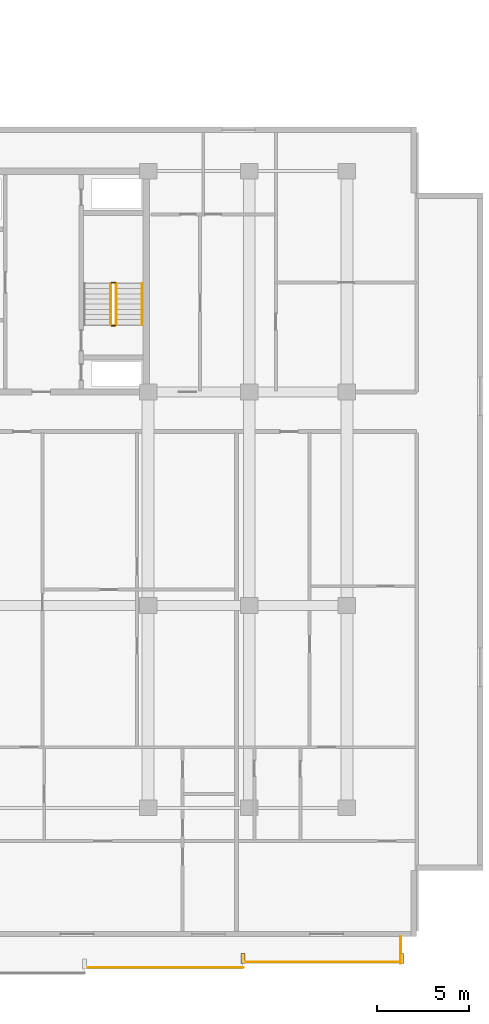
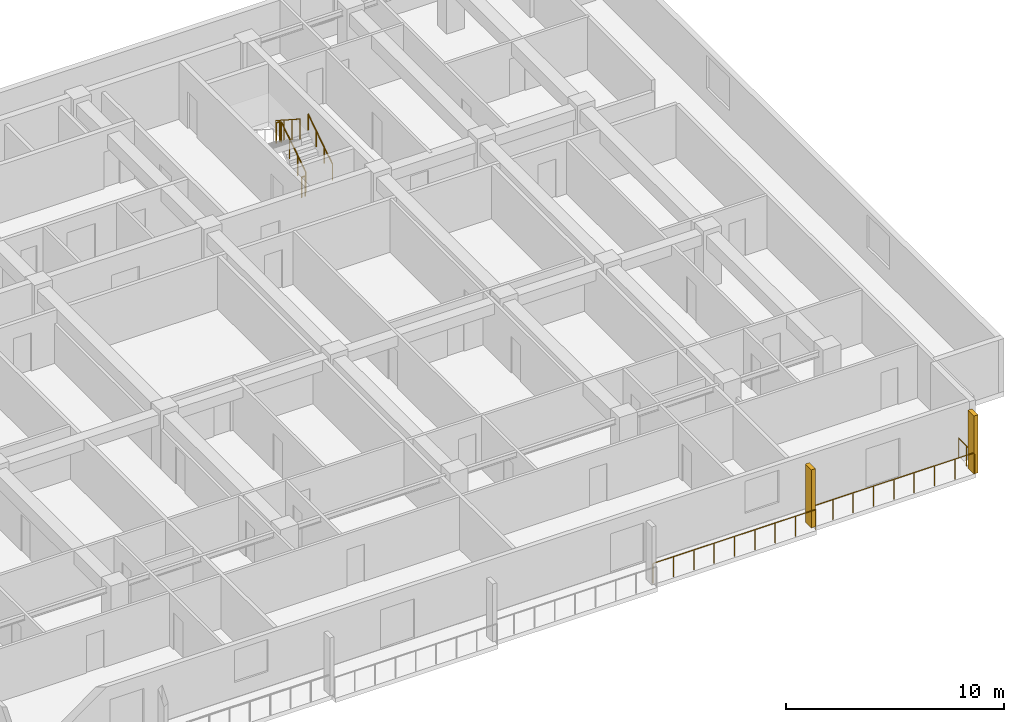
# One storey, part 22 of 24: 8 railings, 2 shading devices.
"""IFC4 building model written with IfcOpenShell, lengths in metres."""

from ifc_helpers import new_model, si_unit, direction, frame, origin, origin_2d, place, context, subcontext, project, spatial, rectangle, circle, extrude, material, type_object, element, save


model = new_model("IFC4")

# Units and contexts
model_context = context("Model", 3, precision=1e-05, world=origin(), true_north=direction((0.0, 1.0)))
body_context = subcontext(model_context, "Body", "Model", "MODEL_VIEW")
ifc_project = project(units=[si_unit("LENGTHUNIT", "METRE"), si_unit("AREAUNIT", "SQUARE_METRE"), si_unit("VOLUMEUNIT", "CUBIC_METRE"), si_unit("PLANEANGLEUNIT", "RADIAN"), si_unit("MASSUNIT", "GRAM", prefix="KILO")], contexts=[model_context])

# Site, building, storey
site_placement = place(None, origin())
site = spatial("IfcSite", under=ifc_project, at=site_placement, CompositionType="ELEMENT")
building_placement = place(site_placement, origin())
building = spatial("IfcBuilding", under=site, at=building_placement, Name="Korimba Cascade Residences", CompositionType="ELEMENT")
storey_placement = place(building_placement, frame((0.0, 0.0, 66.25)))
storey = spatial("IfcBuildingStorey", under=building, at=storey_placement, Name="L18", CompositionType="ELEMENT", Elevation=66.25)

# Railings
ifc_material_1 = material(Name="Laminated Glass and Bronze Balustrade", Category="glass")
railing_type_1 = type_object("IfcRailingType", Name="RLG-LOG-1150", PredefinedType="BALUSTRADE", material=ifc_material_1)
railing_1_placement = place(storey_placement, frame((114.642822265625, -12.8701171875, 0.0)))
element("IfcRailing", 1, at=railing_1_placement, inside=storey, type_object=railing_type_1, Name="L18 Perimeter Guardrail RLG-L18-T2-LOG-06", PredefinedType="BALUSTRADE", context=body_context, shape_type="SweptSolid", body=[
    extrude(circle(Radius=0.02392578125, at=origin_2d()), frame((0.0, 0.0, 1.1259765625), z_axis=(1.0, 0.0, 0.0), x_axis=(0.0, 1.0, 0.0)), (0.0, 0.0, 1.0), 8.628662109375),
    extrude(circle(Radius=0.02099609375, at=origin_2d()), origin(), (0.0, 0.0, 1.0), 1.101806640625),
    extrude(circle(Radius=0.02099609375, at=origin_2d()), frame((1.07861328125, 0.0, 0.0)), (0.0, 0.0, 1.0), 1.101806640625),
    extrude(circle(Radius=0.02099609375, at=origin_2d()), frame((2.1572265625, 0.0, 0.0)), (0.0, 0.0, 1.0), 1.101806640625),
    extrude(circle(Radius=0.02099609375, at=origin_2d()), frame((3.23583984375, 0.0, 0.0)), (0.0, 0.0, 1.0), 1.101806640625),
    extrude(circle(Radius=0.02099609375, at=origin_2d()), frame((4.314453125, 0.0, 0.0)), (0.0, 0.0, 1.0), 1.101806640625),
    extrude(circle(Radius=0.02099609375, at=origin_2d()), frame((5.392822265625, 0.0, 0.0)), (0.0, 0.0, 1.0), 1.101806640625),
    extrude(circle(Radius=0.02099609375, at=origin_2d()), frame((6.471435546875, 0.0, 0.0)), (0.0, 0.0, 1.0), 1.101806640625),
    extrude(circle(Radius=0.02099609375, at=origin_2d()), frame((7.550048828125, 0.0, 0.0)), (0.0, 0.0, 1.0), 1.101806640625),
    extrude(circle(Radius=0.02099609375, at=origin_2d()), frame((8.628662109375, 0.0, 0.0)), (0.0, 0.0, 1.0), 1.101806640625),
])
railing_2_placement = place(storey_placement, frame((123.271484375, -12.570068359375, 0.0)))
element("IfcRailing", 2, at=railing_2_placement, inside=storey, type_object=railing_type_1, Name="L18 Perimeter Guardrail RLG-L18-T2-LOG-07", PredefinedType="BALUSTRADE", context=body_context, shape_type="SweptSolid", body=[
    extrude(circle(Radius=0.02392578125, at=origin_2d()), frame((0.0, 0.0, 1.1259765625), z_axis=(1.0, 0.0, 0.0), x_axis=(0.0, 1.0, 0.0)), (0.0, 0.0, 1.0), 8.62841796875),
    extrude(circle(Radius=0.02099609375, at=origin_2d()), origin(), (0.0, 0.0, 1.0), 1.101806640625),
    extrude(circle(Radius=0.02099609375, at=origin_2d()), frame((1.07861328125, 0.0, 0.0)), (0.0, 0.0, 1.0), 1.101806640625),
    extrude(circle(Radius=0.02099609375, at=origin_2d()), frame((2.1572265625, 0.0, 0.0)), (0.0, 0.0, 1.0), 1.101806640625),
    extrude(circle(Radius=0.02099609375, at=origin_2d()), frame((3.235595703125, 0.0, 0.0)), (0.0, 0.0, 1.0), 1.101806640625),
    extrude(circle(Radius=0.02099609375, at=origin_2d()), frame((4.314208984375, 0.0, 0.0)), (0.0, 0.0, 1.0), 1.101806640625),
    extrude(circle(Radius=0.02099609375, at=origin_2d()), frame((5.392822265625, 0.0, 0.0)), (0.0, 0.0, 1.0), 1.101806640625),
    extrude(circle(Radius=0.02099609375, at=origin_2d()), frame((6.47119140625, 0.0, 0.0)), (0.0, 0.0, 1.0), 1.101806640625),
    extrude(circle(Radius=0.02099609375, at=origin_2d()), frame((7.5498046875, 0.0, 0.0)), (0.0, 0.0, 1.0), 1.101806640625),
    extrude(circle(Radius=0.02099609375, at=origin_2d()), frame((8.62841796875, 0.0, 0.0)), (0.0, 0.0, 1.0), 1.101806640625),
])
railing_3_placement = place(storey_placement, frame((131.820068359375, -12.64990234375, 0.0)))
element("IfcRailing", 3, at=railing_3_placement, inside=storey, type_object=railing_type_1, Name="L18 Perimeter Guardrail RLG-L18-T2-LOG-08", PredefinedType="BALUSTRADE", context=body_context, shape_type="SweptSolid", body=[
    extrude(circle(Radius=0.02392578125, at=origin_2d()), frame((0.0, 0.0, 1.1259765625), z_axis=(0.0, 1.0, 0.0), x_axis=(-1.0, 0.0, 0.0)), (0.0, 0.0, 1.0), 1.449951171875),
    extrude(circle(Radius=0.02099609375, at=origin_2d()), origin(), (0.0, 0.0, 1.0), 1.101806640625),
    extrude(circle(Radius=0.02099609375, at=origin_2d()), frame((0.0, 0.72509765625, 0.0)), (0.0, 0.0, 1.0), 1.101806640625),
    extrude(circle(Radius=0.02099609375, at=origin_2d()), frame((0.0, 1.449951171875, 0.0)), (0.0, 0.0, 1.0), 1.101806640625),
])
ifc_material_2 = material(Name="Painted Steel Stairwell Guardrail", Category="steel")
railing_type_2 = type_object("IfcRailingType", Name="RLG-ST-GD1150", PredefinedType="GUARDRAIL", material=ifc_material_2)
railing_4_placement = place(storey_placement, frame((116.3701171875, 22.050048828125, 0.1806640625)))
element("IfcRailing", 4, at=railing_4_placement, inside=storey, type_object=railing_type_2, Name="L18 ST-E2 stair guard 1", PredefinedType="GUARDRAIL", context=body_context, shape_type="SweptSolid", body=[
    extrude(circle(Radius=0.02392578125, at=origin_2d()), frame((0.0, 0.0, 1.1259765625), z_axis=(0.0, 0.840436612492, 0.541909863706), x_axis=(-1.0, 0.0, 0.0)), (0.0, 0.0, 1.0), 2.665283203125),
    extrude(circle(Radius=0.02099609375, at=origin_2d()), origin(), (0.0, 0.0, 1.0), 1.101806640625),
    extrude(circle(Radius=0.02099609375, at=origin_2d()), frame((0.0, 0.74658203125, 0.4814453125)), (0.0, 0.0, 1.0), 1.101806640625),
    extrude(circle(Radius=0.02099609375, at=origin_2d()), frame((0.0, 1.493408203125, 0.962890625)), (0.0, 0.0, 1.0), 1.101806640625),
    extrude(circle(Radius=0.02099609375, at=origin_2d()), frame((0.0, 2.239990234375, 1.4443359375)), (0.0, 0.0, 1.0), 1.101806640625),
])
railing_5_placement = place(storey_placement, frame((116.320068359375, 24.340087890625, 1.625)))
element("IfcRailing", 5, at=railing_5_placement, inside=storey, type_object=railing_type_2, Name="L18 ST-E2 stair guard 2", PredefinedType="GUARDRAIL", context=body_context, shape_type="SweptSolid", body=[
    extrude(circle(Radius=0.02392578125, at=origin_2d()), frame((0.0, 0.0, 1.1259765625), z_axis=(-1.0, 0.0, 0.0), x_axis=(0.0, -1.0, 0.0)), (0.0, 0.0, 1.0), 0.199951171875),
    extrude(circle(Radius=0.02099609375, at=origin_2d()), origin(), (0.0, 0.0, 1.0), 1.101806640625),
    extrude(circle(Radius=0.02099609375, at=origin_2d()), frame((-0.199951171875, 0.0, 0.0)), (0.0, 0.0, 1.0), 1.101806640625),
])
railing_6_placement = place(storey_placement, frame((116.070068359375, 24.2900390625, 1.8056640625)))
element("IfcRailing", 6, at=railing_6_placement, inside=storey, type_object=railing_type_2, Name="L18 ST-E2 stair guard 3", PredefinedType="GUARDRAIL", context=body_context, shape_type="SweptSolid", body=[
    extrude(circle(Radius=0.02392578125, at=origin_2d()), frame((0.0, 0.0, 1.1259765625), z_axis=(0.0, -0.840436612492, 0.541909863706), x_axis=(1.0, 0.0, 0.0)), (0.0, 0.0, 1.0), 2.665283203125),
    extrude(circle(Radius=0.02099609375, at=origin_2d()), origin(), (0.0, 0.0, 1.0), 1.101806640625),
    extrude(circle(Radius=0.02099609375, at=origin_2d()), frame((0.0, -0.74658203125, 0.4814453125)), (0.0, 0.0, 1.0), 1.101806640625),
    extrude(circle(Radius=0.02099609375, at=origin_2d()), frame((0.0, -1.493408203125, 0.962890625)), (0.0, 0.0, 1.0), 1.101806640625),
    extrude(circle(Radius=0.02099609375, at=origin_2d()), frame((0.0, -2.239990234375, 1.4443359375)), (0.0, 0.0, 1.0), 1.101806640625),
])
railing_7_placement = place(storey_placement, frame((116.320068359375, 22.0, 0.0)))
element("IfcRailing", 7, at=railing_7_placement, inside=storey, type_object=railing_type_2, Name="L18 ST-E2 stair guard 4", PredefinedType="GUARDRAIL", context=body_context, shape_type="SweptSolid", body=[
    extrude(circle(Radius=0.02392578125, at=origin_2d()), frame((0.0, 0.0, 1.1259765625), z_axis=(-1.0, 0.0, 0.0), x_axis=(0.0, -1.0, 0.0)), (0.0, 0.0, 1.0), 0.199951171875),
    extrude(circle(Radius=0.02099609375, at=origin_2d()), origin(), (0.0, 0.0, 1.0), 1.101806640625),
    extrude(circle(Radius=0.02099609375, at=origin_2d()), frame((-0.199951171875, 0.0, 0.0)), (0.0, 0.0, 1.0), 1.101806640625),
])
ifc_material_3 = material(Name="Brushed Stainless Steel Handrail", Category="steel")
railing_type_3 = type_object("IfcRailingType", Name="RLG-ST-HR900", PredefinedType="HANDRAIL", material=ifc_material_3)
railing_8_placement = place(storey_placement, frame((117.7900390625, 22.050048828125, 0.364990234375)))
element("IfcRailing", 8, at=railing_8_placement, inside=storey, type_object=railing_type_3, Name="L18 ST-E2 stair handrail 1", PredefinedType="HANDRAIL", context=body_context, shape_type="SweptSolid", body=[
    extrude(circle(Radius=0.02392578125, at=origin_2d()), frame((0.0, 0.0, 0.8759765625), z_axis=(0.0, 0.840436612492, 0.541909863706), x_axis=(-1.0, 0.0, 0.0)), (0.0, 0.0, 1.0), 2.665283203125),
    extrude(circle(Radius=0.02099609375, at=origin_2d()), origin(), (0.0, 0.0, 1.0), 0.851806640625),
    extrude(circle(Radius=0.02099609375, at=origin_2d()), frame((0.0, 0.74658203125, 0.4814453125)), (0.0, 0.0, 1.0), 0.851806640625),
    extrude(circle(Radius=0.02099609375, at=origin_2d()), frame((0.0, 1.493408203125, 0.962890625)), (0.0, 0.0, 1.0), 0.851806640625),
    extrude(circle(Radius=0.02099609375, at=origin_2d()), frame((0.0, 2.239990234375, 1.4443359375)), (0.0, 0.0, 1.0), 0.851806640625),
])

# Shading devices
ifc_material_4 = material(Name="Honed Sandstone Precast Fin", Category="masonry")
shading_device_type = type_object("IfcShadingDeviceType", Name="SHD-FIN-550", PredefinedType="USERDEFINED", material=ifc_material_4)
for number, where, z_axis, x_axis, name in (
    (9, (123.271484375, -12.375, 0.0), (0.0, 0.0, 1.0), (1.0, 0.0, 0.0), "L18 T2 Warm-Stone Loggia Fin 7"),
    (10, (131.89990234375, -12.375, 0.0), (0.0, 0.0, 1.0), (1.0, 0.0, 0.0), "L18 T2 Warm-Stone Loggia Fin 8"),
):
    element("IfcShadingDevice", number, at=place(storey_placement, frame(where, z_axis=z_axis, x_axis=x_axis)), inside=storey, type_object=shading_device_type, Name=name, ObjectType="FIN", PredefinedType="USERDEFINED", context=body_context, shape_type="SweptSolid", body=[
        extrude(rectangle(XDim=0.219970703125, YDim=0.550048828125, at=origin_2d()), origin(), (0.0, 0.0, 1.0), 3.25),
    ])

save(model, "model.ifc")
